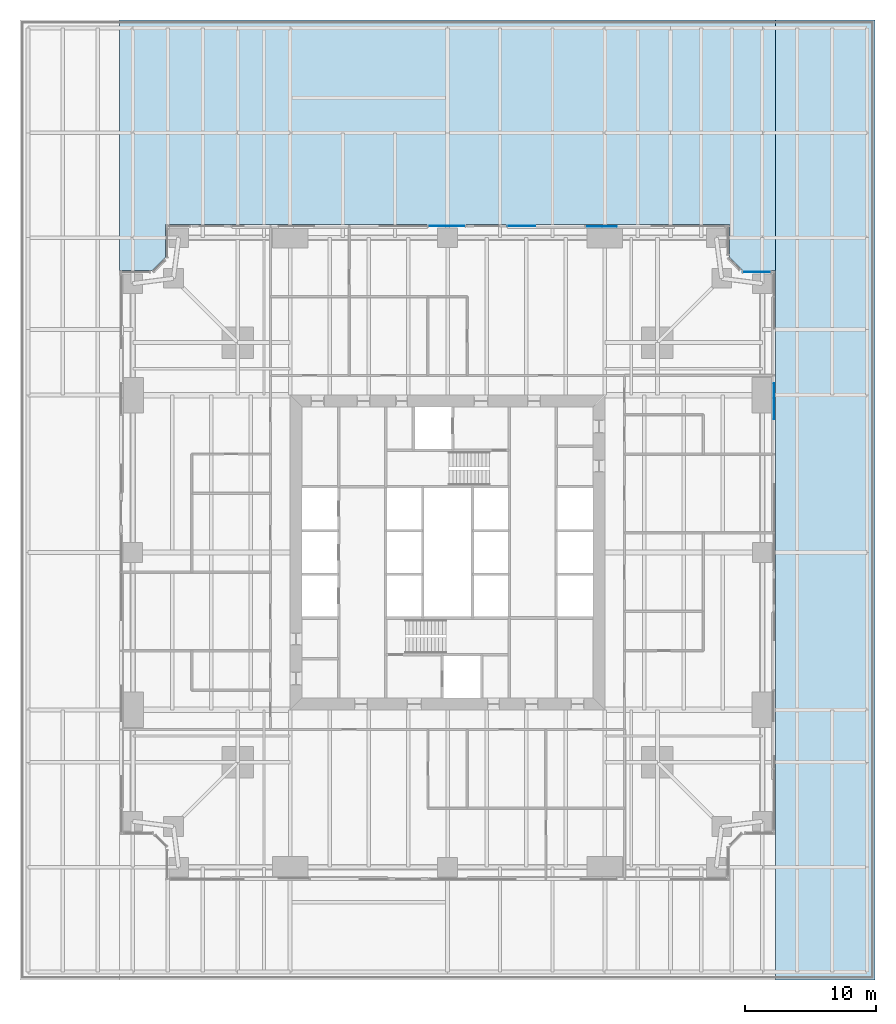
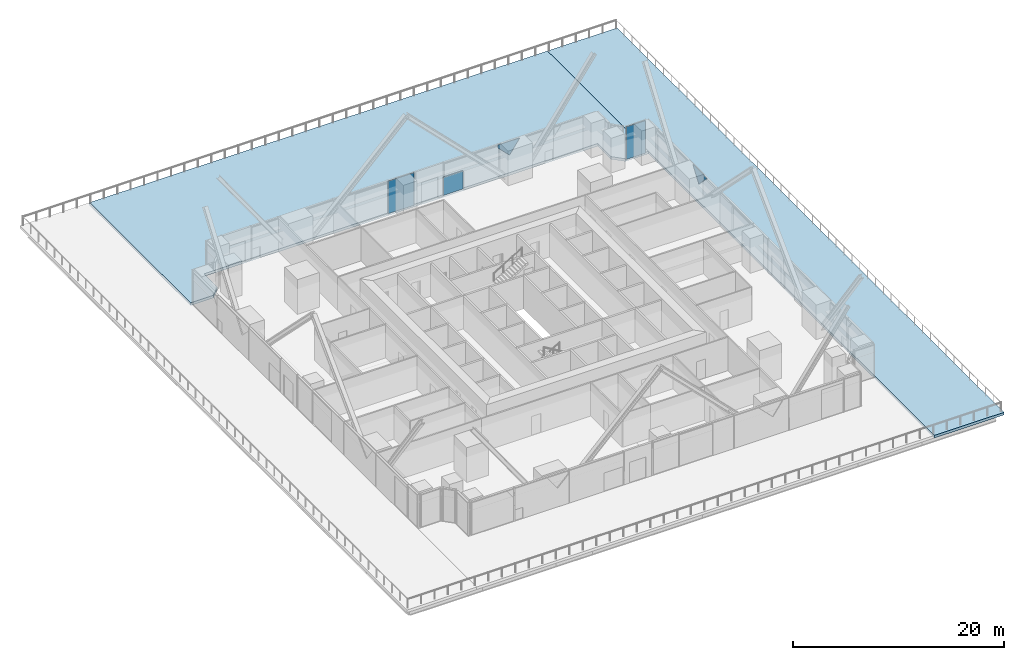
# One storey, part 14 of 21: 5 plates, 2 slabs, 4 elements without a shape of their own.
"""IFC4 building model written with IfcOpenShell, lengths in metres."""

from ifc_helpers import new_model, si_unit, direction, frame, origin, origin_2d, place, context, subcontext, project, spatial, polyline, rectangle, outline, extrude, material, layer, layer_set, type_object, element, aggregate, save


model = new_model("IFC4")

# Units and contexts
model_context = context("Model", 3, precision=1e-05, world=origin(), true_north=direction((0.0, 1.0)))
body_context = subcontext(model_context, "Body", "Model", "MODEL_VIEW")
ifc_project = project(units=[si_unit("LENGTHUNIT", "METRE"), si_unit("AREAUNIT", "SQUARE_METRE"), si_unit("VOLUMEUNIT", "CUBIC_METRE"), si_unit("PLANEANGLEUNIT", "RADIAN"), si_unit("MASSUNIT", "GRAM", prefix="KILO")], contexts=[model_context])

# Site, building, storey
site_placement = place(None, origin())
site = spatial("IfcSite", under=ifc_project, at=site_placement, CompositionType="ELEMENT")
building_placement = place(site_placement, origin())
building = spatial("IfcBuilding", under=site, at=building_placement, Name="Fenwick Lantern Interchange", CompositionType="ELEMENT")
storey_placement = place(building_placement, frame((0.0, 0.0, 31.0)))
storey = spatial("IfcBuildingStorey", under=building, at=storey_placement, Name="L06", CompositionType="ELEMENT", Elevation=31.0)

# Curtain wall, plate
ifc_material_1 = material(Name="Aluminium curtain wall frame", Category="aluminium")
curtain_wall_type = type_object("IfcCurtainWallType", Name="OFFICE CURTAIN WALL", PredefinedType="USERDEFINED", material=ifc_material_1)
curtain_wall_1_placement = place(storey_placement, origin())
curtain_wall_1 = element("IfcCurtainWall", 1, at=curtain_wall_1_placement, inside=storey, type_object=curtain_wall_type, Name="Office curtain wall 05B", ObjectType="OFFICE CURTAIN WALL", PredefinedType="USERDEFINED")
ifc_material_2 = material(Name="Vision glass, clear low-iron double glazed", Category="glass")
ifc_layer_1 = layer(ifc_material_2, 0.031982421875)
ifc_layer_set_1 = layer_set([ifc_layer_1], Name="OFFICE CURTAIN WALL PANEL 32")
plate_type = type_object("IfcPlateType", Name="OFFICE CURTAIN WALL PANEL 32", PredefinedType="CURTAIN_PANEL", material=ifc_layer_set_1)
plate_1_placement = place(storey_placement, frame((49.89990234375, 23.5, 2.158935546875), z_axis=(0.0, 0.0, 1.0), x_axis=(0.0, 1.0, 0.0)))
plate_1 = element("IfcPlate", 2, at=plate_1_placement, type_object=plate_type, Name="L06/CW/05B/P02a", PredefinedType="CURTAIN_PANEL", context=body_context, shape_type="SweptSolid", body=[
    extrude(outline(polyline([(13.26416015625, 0.0), (14.389404296875, 1.591064453125), (11.675537109375, 1.591064453125), (13.26416015625, 0.0)])), frame((0.0, 0.01611328125, 0.0), z_axis=(0.0, -1.0, 0.0), x_axis=(1.0, 0.0, 0.0)), (0.0, 0.0, 1.0), 0.031982421875),
])
aggregate(curtain_wall_1, [plate_1])

curtain_wall_2_placement = place(storey_placement, origin())
curtain_wall_2 = element("IfcCurtainWall", 3, at=curtain_wall_2_placement, inside=storey, type_object=curtain_wall_type, Name="Office curtain wall 06", ObjectType="OFFICE CURTAIN WALL", PredefinedType="USERDEFINED")
plate_2_placement = place(storey_placement, frame((48.579345703125, 46.39990234375, 0.0), z_axis=(0.0, 0.0, 1.0), x_axis=(-1.0, 0.0, 0.0)))
plate_2 = element("IfcPlate", 4, at=plate_2_placement, type_object=plate_type, Name="L06/CW/06/P00", PredefinedType="CURTAIN_PANEL", context=body_context, shape_type="SweptSolid", body=[
    extrude(rectangle(XDim=2.111328125, YDim=0.031982421875, at=origin_2d()), origin(), (0.0, 0.0, 1.0), 3.75),
])
aggregate(curtain_wall_2, [plate_2])

# Curtain wall, plates
curtain_wall_3_placement = place(storey_placement, origin())
curtain_wall_3 = element("IfcCurtainWall", 5, at=curtain_wall_3_placement, inside=storey, type_object=curtain_wall_type, Name="Office curtain wall 09A", ObjectType="OFFICE CURTAIN WALL", PredefinedType="USERDEFINED")
plate_3_placement = place(storey_placement, frame((46.39990234375, 49.89990234375, 2.158935546875), z_axis=(0.0, 0.0, 1.0), x_axis=(-1.0, 0.0, 0.0)))
plate_3 = element("IfcPlate", 6, at=plate_3_placement, type_object=plate_type, Name="L06/CW/09A/P01b", PredefinedType="CURTAIN_PANEL", context=body_context, shape_type="SweptSolid", body=[
    extrude(outline(polyline([(9.635986328125, 0.0), (10.867431640625, 1.2333984375), (10.867431640625, 1.591064453125), (8.510498046875, 1.591064453125), (9.635986328125, 0.0)])), frame((0.0, 0.0498046875, 0.0), z_axis=(0.0, -1.0, 0.0), x_axis=(1.0, 0.0, 0.0)), (0.0, 0.0, 1.0), 0.031982421875),
])
plate_4_placement = place(storey_placement, frame((46.39990234375, 49.89990234375, 0.0), z_axis=(0.0, 0.0, 1.0), x_axis=(-1.0, 0.0, 0.0)))
plate_4 = element("IfcPlate", 7, at=plate_4_placement, type_object=plate_type, Name="L06/CW/09A/P02a", PredefinedType="CURTAIN_PANEL", context=body_context, shape_type="SweptSolid", body=[
    extrude(outline(polyline([(14.70263671875, 0.0), (16.8349609375, 0.0), (16.8349609375, 2.138427734375), (14.70263671875, 2.138427734375), (14.70263671875, 0.0)])), frame((0.0, 0.01611328125, 0.0), z_axis=(0.0, -1.0, 0.0), x_axis=(1.0, 0.0, 0.0)), (0.0, 0.0, 1.0), 0.031982421875),
])
aggregate(curtain_wall_3, [plate_3, plate_4])

# Curtain wall, plate
curtain_wall_4_placement = place(storey_placement, origin())
curtain_wall_4 = element("IfcCurtainWall", 8, at=curtain_wall_4_placement, inside=storey, type_object=curtain_wall_type, Name="Office curtain wall 09B", ObjectType="OFFICE CURTAIN WALL", PredefinedType="USERDEFINED")
plate_5_placement = place(storey_placement, frame((24.933837890625, 49.89990234375, 0.0), z_axis=(0.0, 0.0, 1.0), x_axis=(-1.0, 0.0, 0.0)))
plate_5 = element("IfcPlate", 9, at=plate_5_placement, type_object=plate_type, Name="L06/CW/09B/P00", PredefinedType="CURTAIN_PANEL", context=body_context, shape_type="SweptSolid", body=[
    extrude(rectangle(XDim=2.802490234375, YDim=0.031982421875, at=origin_2d()), origin(), (0.0, 0.0, 1.0), 3.75),
])
aggregate(curtain_wall_4, [plate_5])

# Slabs
ifc_material_3 = material(Name="Concrete f'c 35 MPa", Category="concrete")
ifc_layer_2 = layer(ifc_material_3, 0.300048828125)
ifc_layer_set_2 = layer_set([ifc_layer_2], Name="Concrete f'c 35 MPa")
slab_type = type_object("IfcSlabType", Name="TERRACE SLAB 300", PredefinedType="FLOOR", material=ifc_layer_set_2)
slab_1_placement = place(storey_placement, frame((0.0, 0.0, -0.300048828125)))
element("IfcSlab", 10, at=slab_1_placement, inside=storey, type_object=slab_type, Name="L06/SLAB/T3", PredefinedType="FLOOR", context=body_context, shape_type="SweptSolid", body=[
    extrude(outline(polyline([(50.0, 65.60009765625), (50.0, 46.5), (47.5, 46.5), (46.5, 47.5), (46.5, 50.0), (3.5, 50.0), (3.5, 47.5), (2.5, 46.5), (0.0, 46.5), (0.0, 65.60009765625), (50.0, 65.60009765625)])), origin(), (0.0, 0.0, 1.0), 0.300048828125),
])
slab_2_placement = place(storey_placement, frame((0.0, 0.0, -0.300048828125)))
element("IfcSlab", 11, at=slab_2_placement, inside=storey, type_object=slab_type, Name="L06/SLAB/T4", PredefinedType="FLOOR", context=body_context, shape_type="SweptSolid", body=[
    extrude(outline(polyline([(57.60009765625, 65.60009765625), (57.60009765625, -7.60009765625), (50.0, -7.60009765625), (50.0, 3.5), (50.0, 46.5), (50.0, 65.60009765625), (57.60009765625, 65.60009765625)])), origin(), (0.0, 0.0, 1.0), 0.300048828125),
])

save(model, "model.ifc")
